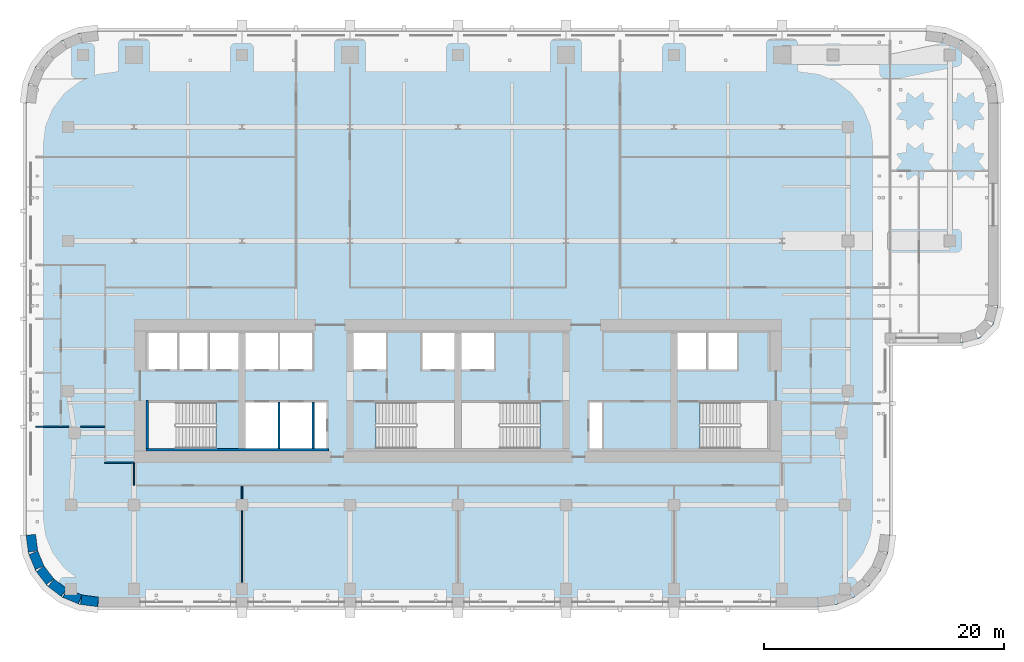
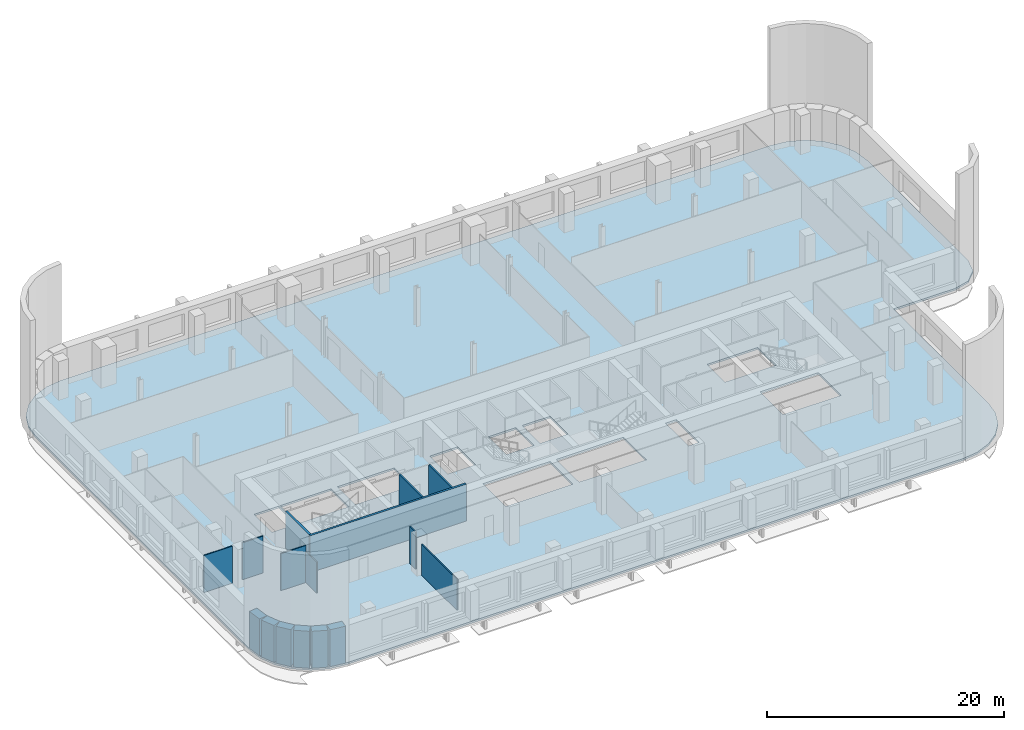
# One storey, part 2 of 13: 16 walls, 1 slab.
"""IFC4 building model written with IfcOpenShell, lengths in metres."""

from ifc_helpers import new_model, si_unit, direction, frame, frame_2d, origin, place, context, subcontext, project, spatial, polyline, rectangle, outline, extrude, material, layer, layer_set, type_object, element, save


model = new_model("IFC4")

# Units and contexts
model_context = context("Model", 3, precision=1e-05, world=origin(), true_north=direction((0.0, 1.0)))
body_context = subcontext(model_context, "Body", "Model", "MODEL_VIEW")
ifc_project = project(units=[si_unit("LENGTHUNIT", "METRE"), si_unit("AREAUNIT", "SQUARE_METRE"), si_unit("VOLUMEUNIT", "CUBIC_METRE"), si_unit("PLANEANGLEUNIT", "RADIAN"), si_unit("MASSUNIT", "GRAM", prefix="KILO")], contexts=[model_context])

# Site, building, storey
site_placement = place(None, origin())
site = spatial("IfcSite", under=ifc_project, at=site_placement, CompositionType="ELEMENT")
building_placement = place(site_placement, origin())
building = spatial("IfcBuilding", under=site, at=building_placement, Name="Zellij Exchange Tower", CompositionType="ELEMENT")
storey_placement = place(building_placement, frame((0.0, 0.0, 108.5)))
storey = spatial("IfcBuildingStorey", under=building, at=storey_placement, Name="L23", CompositionType="ELEMENT", Elevation=108.5)

# Slab
ifc_material_1 = material(Name="Concrete C40/50", Category="concrete")
ifc_layer_1 = layer(ifc_material_1, 0.199951171875)
ifc_layer_set_1 = layer_set([ifc_layer_1], Name="Concrete C40/50")
slab_type = type_object("IfcSlabType", Name="STR-FLOOR SLAB 200 C40/50", PredefinedType="FLOOR", material=ifc_layer_set_1)
slab_placement = place(storey_placement, frame((0.0, 0.0, -0.2001953125)))
element("IfcSlab", 1, at=slab_placement, inside=storey, type_object=slab_type, Name="Floor L23", PredefinedType="FLOOR", context=body_context, shape_type="SweptSolid", body=[
    extrude(outline(polyline([(35.795654296875, -21.552978515625), (35.1962890625, -23.0), (34.24267578125, -24.24267578125), (33.0, -25.1962890625), (31.552978515625, -25.795654296875), (30.0, -26.0), (-30.0, -26.0), (-31.552978515625, -25.795654296875), (-33.0, -25.1962890625), (-34.24267578125, -24.24267578125), (-35.1962890625, -23.0), (-35.795654296875, -21.552978515625), (-36.0, -20.0), (-36.0, 16.0), (-35.795654296875, 17.552978515625), (-35.1962890625, 19.0), (-34.24267578125, 20.24267578125), (-33.0, 21.1962890625), (-31.552978515625, 21.795654296875), (-30.0, 22.0), (39.0, 22.0), (40.552978515625, 21.795654296875), (42.0, 21.1962890625), (43.24267578125, 20.24267578125), (44.1962890625, 19.0), (44.795654296875, 17.552978515625), (45.0, 16.0), (45.0, -1.0), (44.59814453125, -2.5), (43.5, -3.59814453125), (42.0, -4.0), (36.0, -4.0), (36.0, -20.0), (35.795654296875, -21.552978515625)]), holes=[polyline([(-25.800048828125, -8.949951171875), (-25.800048828125, -12.800048828125), (-20.153076171875, -12.800048828125), (-20.153076171875, -8.949951171875), (-25.800048828125, -8.949951171875)]), polyline([(-12.14990234375, -8.949951171875), (-17.699951171875, -8.949951171875), (-17.699951171875, -12.800048828125), (-12.14990234375, -12.800048828125), (-12.14990234375, -8.949951171875)]), polyline([(-10.949951171875, -8.949951171875), (-12.0, -8.949951171875), (-12.0, -12.800048828125), (-10.949951171875, -12.800048828125), (-10.949951171875, -8.949951171875)]), polyline([(-23.39990234375, -3.199951171875), (-25.800048828125, -3.199951171875), (-25.800048828125, -6.22509765625), (-23.39990234375, -6.22509765625), (-23.39990234375, -3.199951171875)]), polyline([(-18.300048828125, -3.199951171875), (-23.25, -3.199951171875), (-23.25, -6.22509765625), (-18.300048828125, -6.22509765625), (-18.300048828125, -3.199951171875)]), polyline([(-12.14990234375, -3.199951171875), (-17.699951171875, -3.199951171875), (-17.699951171875, -6.22509765625), (-12.14990234375, -6.22509765625), (-12.14990234375, -3.199951171875)]), polyline([(-6.0, -3.199951171875), (-8.699951171875, -3.199951171875), (-8.699951171875, -6.22509765625), (-6.0, -6.22509765625), (-6.0, -3.199951171875)]), polyline([(-6.846923828125, -8.949951171875), (-6.846923828125, -12.800048828125), (-0.300048828125, -12.800048828125), (-0.300048828125, -8.949951171875), (-6.846923828125, -8.949951171875)]), polyline([(6.846923828125, -8.949951171875), (0.300048828125, -8.949951171875), (0.300048828125, -12.800048828125), (6.846923828125, -12.800048828125), (6.846923828125, -8.949951171875)]), polyline([(12.0, -8.949951171875), (10.949951171875, -8.949951171875), (10.949951171875, -12.800048828125), (12.0, -12.800048828125), (12.0, -8.949951171875)]), polyline([(25.800048828125, -8.949951171875), (20.153076171875, -8.949951171875), (20.153076171875, -12.800048828125), (25.800048828125, -12.800048828125), (25.800048828125, -8.949951171875)]), polyline([(-0.300048828125, -3.199951171875), (-3.0, -3.199951171875), (-3.0, -6.22509765625), (-0.300048828125, -6.22509765625), (-0.300048828125, -3.199951171875)]), polyline([(3.0, -3.199951171875), (0.300048828125, -3.199951171875), (0.300048828125, -6.22509765625), (3.0, -6.22509765625), (3.0, -3.199951171875)]), polyline([(23.25, -3.199951171875), (18.300048828125, -3.199951171875), (18.300048828125, -6.22509765625), (23.25, -6.22509765625), (23.25, -3.199951171875)])]), origin(), (0.0, 0.0, 1.0), 0.2001953125),
])

# Walls
ifc_material_2 = material(Name="Concrete C30/37", Category="concrete")
ifc_layer_2 = layer(ifc_material_2, 0.199951171875)
ifc_layer_set_2 = layer_set([ifc_layer_2], Name="Concrete C30/37")
wall_type_1 = type_object("IfcWallType", Name="CORE-LW 200 C30/37", PredefinedType="SHEAR", material=ifc_layer_set_2)
wall_1_placement = place(storey_placement, frame((-26.0, -12.89990234375, 0.0), z_axis=(0.0, 0.0, 1.0), x_axis=(1.0, 0.0, 0.0)))
element("IfcWall", 2, at=wall_1_placement, inside=storey, type_object=wall_type_1, Name="Core wall lining rear.0 L23", PredefinedType="SHEAR", context=body_context, shape_type="SweptSolid", body=[
    extrude(rectangle(XDim=15.199951171875, YDim=0.199951171875, at=frame_2d((7.60009765625, 0.0))), origin(), (0.0, 0.0, 1.0), 3.800048828125),
])
wall_2_placement = place(storey_placement, frame((-25.89990234375, -12.800048828125, 0.0), z_axis=(0.0, 0.0, 1.0), x_axis=(0.0, 1.0, 0.0)))
element("IfcWall", 3, at=wall_2_placement, inside=storey, type_object=wall_type_1, Name="Core wall lining end w.0 L23", PredefinedType="SHEAR", context=body_context, shape_type="SweptSolid", body=[
    extrude(rectangle(XDim=4.0, YDim=0.199951171875, at=frame_2d((2.0, 0.0))), origin(), (0.0, 0.0, 1.0), 3.800048828125),
])
ifc_material_3 = material(Name="Gypsum shaft wall system")
ifc_layer_3 = layer(ifc_material_3, 0.14990234375)
ifc_layer_set_3 = layer_set([ifc_layer_3], Name="Gypsum shaft wall system")
wall_type_2 = type_object("IfcWallType", Name="CORE-PW 150 Lift shaft wall", PredefinedType="PARTITIONING", material=ifc_layer_set_3)
for number, where, z_axis, x_axis, name in (
    (4, (-12.074951171875, -12.800048828125, 0.0), (0.0, 0.0, 1.0), (0.0, 1.0, 0.0), "Lift shaft wall L23"),
    (5, (-14.925048828125, -12.800048828125, 0.0), (0.0, 0.0, 1.0), (0.0, 1.0, 0.0), "Lift shaft wall L23"),
):
    element("IfcWall", number, at=place(storey_placement, frame(where, z_axis=z_axis, x_axis=x_axis)), inside=storey, type_object=wall_type_2, Name=name, PredefinedType="PARTITIONING", context=body_context, shape_type="SweptSolid", body=[
        extrude(rectangle(XDim=3.85009765625, YDim=0.14990234375, at=frame_2d((1.925048828125, 0.0))), origin(), (0.0, 0.0, 1.0), 3.800048828125),
    ])
ifc_material_4 = material(Name="Precast concrete C40/50", Category="concrete")
ifc_layer_4 = layer(ifc_material_4, 0.800048828125)
ifc_layer_set_4 = layer_set([ifc_layer_4], Name="Precast concrete C40/50")
wall_type_3 = type_object("IfcWallType", Name="ENV-EW1 Precast stone-piered wall 800", PredefinedType="SOLIDWALL", material=ifc_layer_set_4)
wall_3_placement = place(storey_placement, frame((-35.5966796875, -19.999755859375, 0.0), z_axis=(0.0, 0.0, 1.0), x_axis=(0.130517283865, -0.99144603414, 0.0)))
element("IfcWall", 6, at=wall_3_placement, inside=storey, type_object=wall_type_3, Name="fac.L23.27", PredefinedType="SOLIDWALL", context=body_context, shape_type="SweptSolid", body=[
    extrude(rectangle(XDim=1.408447265625, YDim=0.800048828125, at=frame_2d((0.7041015625, 0.0))), origin(), (0.0, 0.0, 1.0), 3.800048828125),
])
wall_4_placement = place(storey_placement, frame((-35.3857421875, -21.497314453125, 0.0), z_axis=(0.0, 0.0, 1.0), x_axis=(0.38276009378, -0.923847774587, 0.0)))
element("IfcWall", 7, at=wall_4_placement, inside=storey, type_object=wall_type_3, Name="fac.L23.28", PredefinedType="SOLIDWALL", context=body_context, shape_type="SweptSolid", body=[
    extrude(rectangle(XDim=1.35546875, YDim=0.800048828125, at=frame_2d((0.677734375, 0.0))), origin(), (0.0, 0.0, 1.0), 3.800048828125),
])
for number, where, z_axis, x_axis, name in (
    (8, (-34.814697265625, -22.840087890625, 0.0), (0.0, 0.0, 1.0), (0.608866226366, -0.793272915452, 0.0), "fac.L23.29"),
    (9, (-33.91552734375, -23.9892578125, 0.0), (0.0, 0.0, 1.0), (0.793272915452, -0.608866226366, 0.0), "fac.L23.30"),
):
    element("IfcWall", number, at=place(storey_placement, frame(where, z_axis=z_axis, x_axis=x_axis)), inside=storey, type_object=wall_type_3, Name=name, PredefinedType="SOLIDWALL", context=body_context, shape_type="SweptSolid", body=[
        extrude(rectangle(XDim=1.355712890625, YDim=0.800048828125, at=frame_2d((0.677734375, 0.0))), origin(), (0.0, 0.0, 1.0), 3.800048828125),
    ])
wall_5_placement = place(storey_placement, frame((-32.74951171875, -24.866943359375, 0.0), z_axis=(0.0, 0.0, 1.0), x_axis=(0.923847774587, -0.38276009378, 0.0)))
element("IfcWall", 10, at=wall_5_placement, inside=storey, type_object=wall_type_3, Name="fac.L23.31", PredefinedType="SOLIDWALL", context=body_context, shape_type="SweptSolid", body=[
    extrude(rectangle(XDim=1.35546875, YDim=0.800048828125, at=frame_2d((0.677734375, 0.0))), origin(), (0.0, 0.0, 1.0), 3.800048828125),
])
wall_6_placement = place(storey_placement, frame((-31.396240234375, -25.412841796875, 0.0), z_axis=(0.0, 0.0, 1.0), x_axis=(0.99144603414, -0.130517283865, 0.0)))
element("IfcWall", 11, at=wall_6_placement, inside=storey, type_object=wall_type_3, Name="fac.L23.32", PredefinedType="SOLIDWALL", context=body_context, shape_type="SweptSolid", body=[
    extrude(rectangle(XDim=1.408447265625, YDim=0.800048828125, at=frame_2d((0.7041015625, 0.0))), origin(), (0.0, 0.0, 1.0), 3.800048828125),
])
ifc_material_5 = material(Name="Gypsum board partition on steel studs", Category="steel")
ifc_layer_5 = layer(ifc_material_5, 0.10009765625)
ifc_layer_set_5 = layer_set([ifc_layer_5], Name="Gypsum board partition on steel studs")
wall_type_4 = type_object("IfcWallType", Name="FIT-PARTITION-100", PredefinedType="PARTITIONING", material=ifc_layer_set_5)
wall_7_placement = place(storey_placement, frame((-18.0, -23.949951171875, 0.0), z_axis=(0.0, 0.0, 1.0), x_axis=(0.0, 1.0, 0.0)))
element("IfcWall", 12, at=wall_7_placement, inside=storey, type_object=wall_type_4, Name="FIT-PARTITION-100 001", PredefinedType="PARTITIONING", context=body_context, shape_type="SweptSolid", body=[
    extrude(rectangle(XDim=5.949951171875, YDim=0.10009765625, at=frame_2d((2.97509765625, 0.0))), origin(), (0.0, 0.0, 1.0), 3.18798828125),
])
wall_8_placement = place(storey_placement, frame((-18.0, -17.0, 0.0), z_axis=(0.0, 0.0, 1.0), x_axis=(0.0, 1.0, 0.0)))
element("IfcWall", 13, at=wall_8_placement, inside=storey, type_object=wall_type_4, Name="FIT-PARTITION-100 002", PredefinedType="PARTITIONING", context=body_context, shape_type="SweptSolid", body=[
    extrude(rectangle(XDim=1.050048828125, YDim=0.10009765625, at=frame_2d((0.52490234375, 0.0))), origin(), (0.0, 0.0, 1.0), 3.800048828125),
])
wall_9_placement = place(storey_placement, frame((-27.0, -15.85009765625, 0.0), z_axis=(0.0, 0.0, 1.0), x_axis=(0.0, 1.0, 0.0)))
element("IfcWall", 14, at=wall_9_placement, inside=storey, type_object=wall_type_4, Name="FIT-PARTITION-100 008", PredefinedType="PARTITIONING", context=body_context, shape_type="SweptSolid", body=[
    extrude(rectangle(XDim=1.800048828125, YDim=0.10009765625, at=frame_2d((0.89990234375, 0.0))), origin(), (0.0, 0.0, 1.0), 3.18798828125),
])
wall_10_placement = place(storey_placement, frame((-29.449951171875, -14.0, 0.0), z_axis=(0.0, 0.0, 1.0), x_axis=(1.0, 0.0, 0.0)))
element("IfcWall", 15, at=wall_10_placement, inside=storey, type_object=wall_type_4, Name="FIT-PARTITION-100 010", PredefinedType="PARTITIONING", context=body_context, shape_type="SweptSolid", body=[
    extrude(rectangle(XDim=2.449951171875, YDim=0.10009765625, at=frame_2d((1.22509765625, 0.0))), origin(), (0.0, 0.0, 1.0), 3.800048828125),
])
wall_11_placement = place(storey_placement, frame((-35.199951171875, -10.989990234375, 0.0), z_axis=(0.0, 0.0, 1.0), x_axis=(1.0, 0.0, 0.0)))
element("IfcWall", 16, at=wall_11_placement, inside=storey, type_object=wall_type_4, Name="FIT-PARTITION-100 014", PredefinedType="PARTITIONING", context=body_context, shape_type="SweptSolid", body=[
    extrude(rectangle(XDim=2.75, YDim=0.10009765625, at=frame_2d((1.375, 0.0))), origin(), (0.0, 0.0, 1.0), 3.800048828125),
])
wall_12_placement = place(storey_placement, frame((-31.449951171875, -10.989990234375, 0.0), z_axis=(0.0, 0.0, 1.0), x_axis=(1.0, 0.0, 0.0)))
element("IfcWall", 17, at=wall_12_placement, inside=storey, type_object=wall_type_4, Name="FIT-PARTITION-100 015", PredefinedType="PARTITIONING", context=body_context, shape_type="SweptSolid", body=[
    extrude(rectangle(XDim=2.0, YDim=0.10009765625, at=frame_2d((1.0, 0.0))), origin(), (0.0, 0.0, 1.0), 3.800048828125),
])

save(model, "model.ifc")
